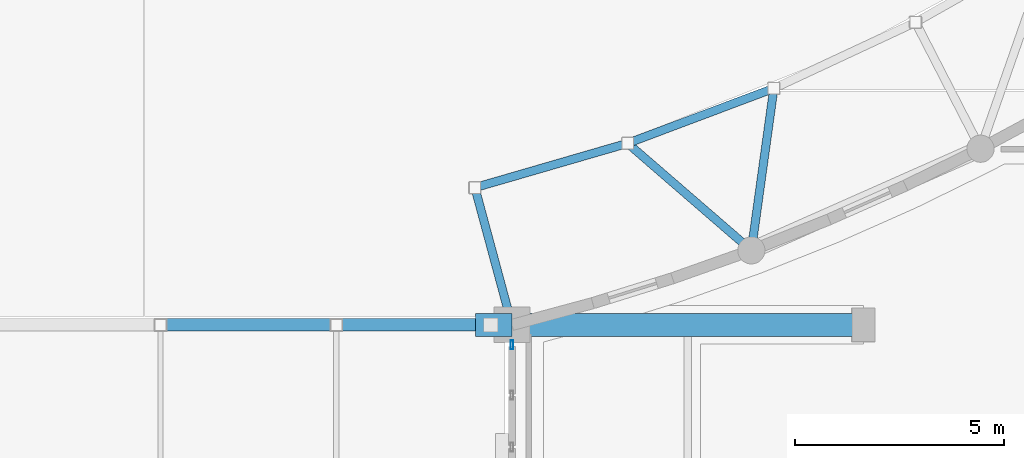
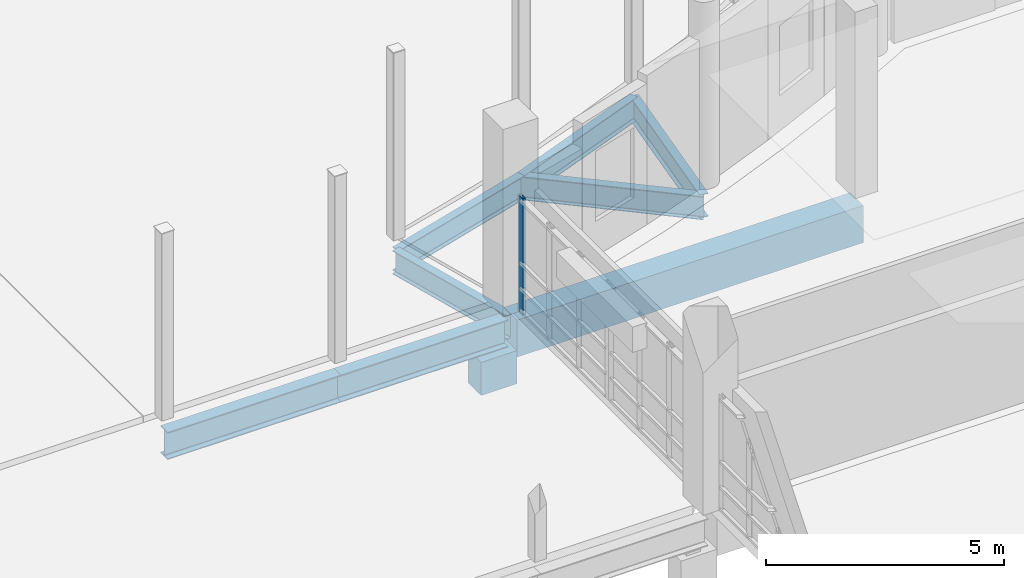
# One storey, part 26 of 97: 9 beams, 1 member, 1 element without a shape of its own.
"""IFC4 building model written with IfcOpenShell, lengths in metres."""

from ifc_helpers import new_model, si_unit, direction, frame, origin, origin_2d, place, context, subcontext, project, spatial, rectangle, hollow_rectangle, i_section, extrude, material, layer, layer_set, material_profile, profile_set, type_object, element, aggregate, save


model = new_model("IFC4")

# Units and contexts
model_context = context("Model", 3, precision=1e-05, world=origin(), true_north=direction((0.0, 1.0)))
body_context = subcontext(model_context, "Body", "Model", "MODEL_VIEW")
ifc_project = project(units=[si_unit("LENGTHUNIT", "METRE"), si_unit("AREAUNIT", "SQUARE_METRE"), si_unit("VOLUMEUNIT", "CUBIC_METRE"), si_unit("PLANEANGLEUNIT", "RADIAN"), si_unit("MASSUNIT", "GRAM", prefix="KILO")], contexts=[model_context])

# Site, building, storey
site_placement = place(None, origin())
site = spatial("IfcSite", under=ifc_project, at=site_placement, CompositionType="ELEMENT")
building_placement = place(site_placement, origin())
building = spatial("IfcBuilding", under=site, at=building_placement, Name="Kisaragi Civic Commons", CompositionType="ELEMENT")
storey_placement = place(building_placement, origin())
storey = spatial("IfcBuildingStorey", under=building, at=storey_placement, Name="L00", CompositionType="ELEMENT", Elevation=0.0)

# Beam
ifc_material_1 = material(Name="Concrete Fc36", Category="concrete")
ifc_material_profile_1 = material_profile(ifc_material_1, rectangle(XDim=0.550048828125, YDim=0.85009765625, at=origin_2d()), Name="RC-550x850", Category="concrete")
ifc_profile_set_1 = profile_set([ifc_material_profile_1], Name="Concrete Fc36")
beam_type_1 = type_object("IfcBeamType", Name="CB-01", PredefinedType="BEAM", material=ifc_profile_set_1)
beam_1_placement = place(storey_placement, frame((105.60009765625, 16.800048828125, -1.530029296875), z_axis=(-1.0, 0.0, 0.0), x_axis=(0.0, -1.0, 0.0)))
element("IfcBeam", 1, at=beam_1_placement, inside=storey, type_object=beam_type_1, Name="BR-V1-V3 L00 seismic corbel 188", PredefinedType="BEAM", context=body_context, shape_type="SweptSolid", body=[
    extrude(rectangle(XDim=0.550048828125, YDim=0.85009765625, at=origin_2d()), origin(), (0.0, 0.0, 1.0), 0.8701171875),
])

# Curtain wall, member
ifc_material_2 = material(Name="Thermally broken anodized aluminium and low-E double glazing", Category="aluminium")
ifc_layer = layer(ifc_material_2, 0.2099609375, Name="Thermally broken anodized aluminium and low-E double glazing", Category="aluminium")
ifc_layer_set = layer_set([ifc_layer], Name="Thermally broken anodized aluminium and low-E double glazing")
curtain_wall_type = type_object("IfcCurtainWallType", Name="CW-02", PredefinedType="NOTDEFINED", material=ifc_layer_set)
curtain_wall_placement = place(storey_placement, origin())
curtain_wall = element("IfcCurtainWall", 2, at=curtain_wall_placement, inside=storey, type_object=curtain_wall_type, Name="L00 curtain wall CW-02 CW-V3-L00-018", PredefinedType="NOTDEFINED")
ifc_material_profile_2 = material_profile(ifc_material_2, hollow_rectangle(XDim=0.070068359375, YDim=0.2099609375, WallThickness=0.0048828125, InnerFilletRadius=0.0048828125, OuterFilletRadius=0.010009765625, at=origin_2d()), Name="CWM-70x210x5", Category="aluminium")
ifc_profile_set_2 = profile_set([ifc_material_profile_2], Name="Thermally broken anodized aluminium and low-E double glazing")
member_type = type_object("IfcMemberType", Name="CWM-03", PredefinedType="MULLION", material=ifc_profile_set_2)
member_placement = place(storey_placement, frame((105.60009765625, 16.324951171875, 0.0), z_axis=(0.0, 0.0, 1.0), x_axis=(-1.0, 0.0, 0.0)))
member = element("IfcMember", 3, at=member_placement, type_object=member_type, Name="CW-02 mullion 4", PredefinedType="MULLION", context=body_context, shape_type="SweptSolid", body=[
    extrude(hollow_rectangle(XDim=0.070068359375, YDim=0.2099609375, WallThickness=0.0048828125, InnerFilletRadius=0.0048828125, OuterFilletRadius=0.010009765625, at=origin_2d()), origin(), (0.0, 0.0, 1.0), 2.97998046875),
])
aggregate(curtain_wall, [member])

# Beams
ifc_material_profile_3 = material_profile(ifc_material_1, rectangle(XDim=0.550048828125, YDim=0.949951171875, at=origin_2d()), Name="RC-550x950", Category="concrete")
ifc_profile_set_3 = profile_set([ifc_material_profile_3], Name="Concrete Fc36")
beam_type_2 = type_object("IfcBeamType", Name="G-01", PredefinedType="BEAM", material=ifc_profile_set_3)
beam_2_placement = place(storey_placement, frame((105.60009765625, 16.800048828125, -0.800048828125), z_axis=(1.0, 0.0, 0.0), x_axis=(0.0, 1.0, 0.0)))
element("IfcBeam", 4, at=beam_2_placement, inside=storey, type_object=beam_type_2, Name="L00 girder G-01 96", PredefinedType="BEAM", context=body_context, shape_type="SweptSolid", body=[
    extrude(rectangle(XDim=0.550048828125, YDim=0.949951171875, at=origin_2d()), origin(), (0.0, 0.0, 1.0), 8.39990234375),
])
ifc_material_3 = material(Name="Steel SN490 (SN490B)", Category="steel")
ifc_material_profile_4 = material_profile(ifc_material_3, i_section(OverallWidth=0.300048828125, OverallDepth=0.699951171875, WebThickness=0.012939453125, FlangeThickness=0.02392578125, FilletRadius=0.01806640625, at=origin_2d()), Name="H-700x300x13x24", Category="steel")
ifc_profile_set_4 = profile_set([ifc_material_profile_4], Name="Steel SN490 (SN490B)")
beam_type_3 = type_object("IfcBeamType", Name="G-09", PredefinedType="BEAM", material=ifc_profile_set_4)
beam_3_placement = place(storey_placement, frame((97.199951171875, 16.800048828125, -0.68994140625), z_axis=(1.0, 0.0, 0.0), x_axis=(0.0, 1.0, 0.0)))
element("IfcBeam", 5, at=beam_3_placement, inside=storey, type_object=beam_type_3, Name="BR-V1-V3 L00 bridge girder 186", PredefinedType="BEAM", context=body_context, shape_type="SweptSolid", body=[
    extrude(i_section(OverallWidth=0.300048828125, OverallDepth=0.699951171875, WebThickness=0.012939453125, FlangeThickness=0.02392578125, FilletRadius=0.01806640625, at=origin_2d()), origin(), (0.0, 0.0, 1.0), 4.199951171875),
])
beam_4_placement = place(storey_placement, frame((101.39990234375, 16.800048828125, -0.68994140625), z_axis=(1.0, 0.0, 0.0), x_axis=(0.0, 1.0, 0.0)))
element("IfcBeam", 6, at=beam_4_placement, inside=storey, type_object=beam_type_3, Name="BR-V1-V3 L00 bridge girder 187", PredefinedType="BEAM", context=body_context, shape_type="SweptSolid", body=[
    extrude(i_section(OverallWidth=0.300048828125, OverallDepth=0.699951171875, WebThickness=0.012939453125, FlangeThickness=0.02392578125, FilletRadius=0.01806640625, at=origin_2d()), origin(), (0.0, 0.0, 1.0), 4.050048828125),
])
ifc_material_profile_5 = material_profile(ifc_material_3, i_section(OverallWidth=0.199951171875, OverallDepth=0.60009765625, WebThickness=0.010986328125, FlangeThickness=0.01708984375, FilletRadius=0.012939453125, at=origin_2d()), Name="H-600x200x11x17", Category="steel")
ifc_profile_set_5 = profile_set([ifc_material_profile_5], Name="Steel SN490 (SN490B)")
beam_type_4 = type_object("IfcBeamType", Name="G-10", PredefinedType="BEAM", material=ifc_profile_set_5)
beam_5_placement = place(storey_placement, frame((104.7138671875, 20.08251953125, -0.639892578125), z_axis=(0.960381177226, 0.278689781712, 0.0), x_axis=(-0.278689781712, 0.960381177226, 0.0)))
element("IfcBeam", 7, at=beam_5_placement, inside=storey, type_object=beam_type_4, Name="VER-V3 L00 edge beam 77", PredefinedType="BEAM", context=body_context, shape_type="SweptSolid", body=[
    extrude(i_section(OverallWidth=0.199951171875, OverallDepth=0.60009765625, WebThickness=0.010986328125, FlangeThickness=0.01708984375, FilletRadius=0.012939453125, at=origin_2d()), origin(), (0.0, 0.0, 1.0), 3.80029296875),
])
beam_6_placement = place(storey_placement, frame((108.363525390625, 21.1416015625, -0.639892578125), z_axis=(0.936006442078, 0.351982869454, 0.0), x_axis=(-0.351982869454, 0.936006442078, 0.0)))
element("IfcBeam", 8, at=beam_6_placement, inside=storey, type_object=beam_type_4, Name="VER-V3 L00 edge beam 78", PredefinedType="BEAM", context=body_context, shape_type="SweptSolid", body=[
    extrude(i_section(OverallWidth=0.199951171875, OverallDepth=0.60009765625, WebThickness=0.010986328125, FlangeThickness=0.01708984375, FilletRadius=0.012939453125, at=origin_2d()), origin(), (0.0, 0.0, 1.0), 3.735107421875),
])
beam_7_placement = place(storey_placement, frame((104.7138671875, 20.08251953125, -0.639892578125), z_axis=(0.260655813222, -0.965431793051, 0.0), x_axis=(0.965431793051, 0.260655813222, 0.0)))
element("IfcBeam", 9, at=beam_7_placement, inside=storey, type_object=beam_type_4, Name="VER-V3 L00 radial tie 82", PredefinedType="BEAM", context=body_context, shape_type="SweptSolid", body=[
    extrude(i_section(OverallWidth=0.199951171875, OverallDepth=0.60009765625, WebThickness=0.010986328125, FlangeThickness=0.01708984375, FilletRadius=0.012939453125, at=origin_2d()), origin(), (0.0, 0.0, 1.0), 3.39990234375),
])
beam_8_placement = place(storey_placement, frame((108.363525390625, 21.1416015625, -0.639892578125), z_axis=(0.756296385518, -0.654229147357, 0.0), x_axis=(0.654229147357, 0.756296385518, 0.0)))
element("IfcBeam", 10, at=beam_8_placement, inside=storey, type_object=beam_type_4, Name="VER-V3 L00 radial tie 83", PredefinedType="BEAM", context=body_context, shape_type="SweptSolid", body=[
    extrude(i_section(OverallWidth=0.199951171875, OverallDepth=0.60009765625, WebThickness=0.010986328125, FlangeThickness=0.01708984375, FilletRadius=0.012939453125, at=origin_2d()), origin(), (0.0, 0.0, 1.0), 3.910888671875),
])
beam_9_placement = place(storey_placement, frame((111.859619140625, 22.456298828125, -0.639892578125), z_axis=(-0.137661947353, -0.990479271995, 0.0), x_axis=(0.990479271995, -0.137661947353, 0.0)))
element("IfcBeam", 11, at=beam_9_placement, inside=storey, type_object=beam_type_4, Name="VER-V3 L00 radial tie 84", PredefinedType="BEAM", context=body_context, shape_type="SweptSolid", body=[
    extrude(i_section(OverallWidth=0.199951171875, OverallDepth=0.60009765625, WebThickness=0.010986328125, FlangeThickness=0.01708984375, FilletRadius=0.012939453125, at=origin_2d()), origin(), (0.0, 0.0, 1.0), 3.910400390625),
])

save(model, "model.ifc")
